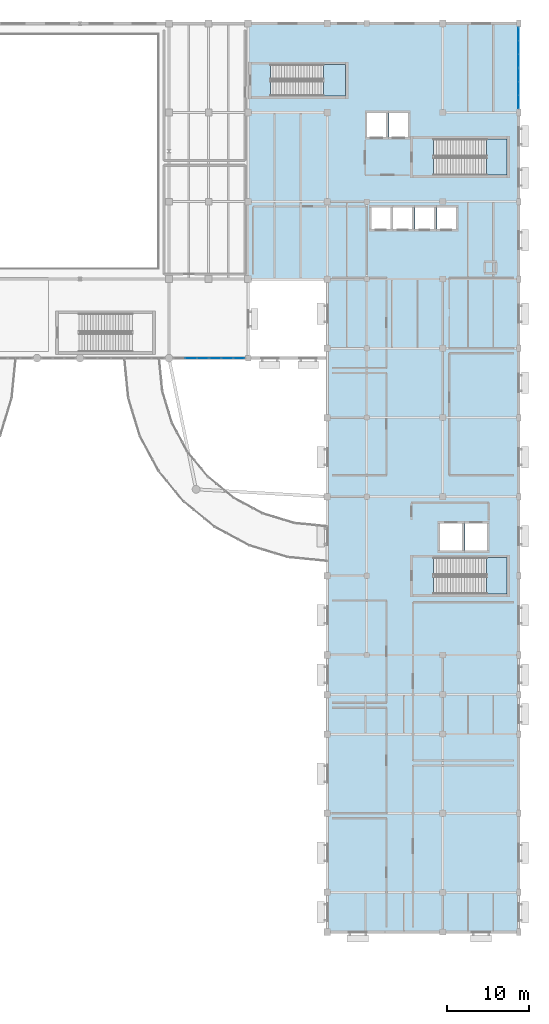
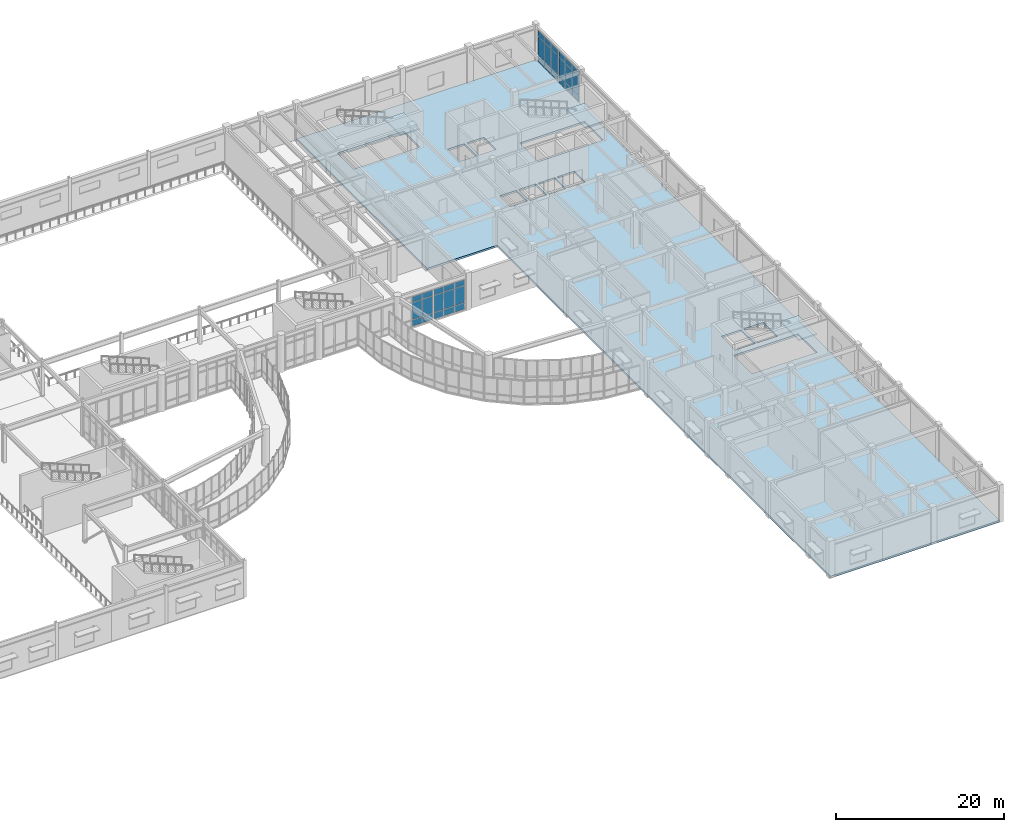
# One storey, part 46 of 72: 33 plates, 4 slabs, 7 elements without a shape of their own.
"""IFC4 building model written with IfcOpenShell, lengths in metres."""

from ifc_helpers import new_model, si_unit, direction, frame, origin, origin_2d, place, context, subcontext, project, spatial, polyline, rectangle, outline, extrude, material, layer, layer_set, type_object, element, aggregate, save


model = new_model("IFC4")

# Units and contexts
model_context = context("Model", 3, precision=1e-05, world=origin(), true_north=direction((0.0, 1.0)))
body_context = subcontext(model_context, "Body", "Model", "MODEL_VIEW")
ifc_project = project(units=[si_unit("LENGTHUNIT", "METRE"), si_unit("AREAUNIT", "SQUARE_METRE"), si_unit("VOLUMEUNIT", "CUBIC_METRE"), si_unit("PLANEANGLEUNIT", "RADIAN"), si_unit("MASSUNIT", "GRAM", prefix="KILO")], contexts=[model_context])

# Site, building, storey
site_placement = place(None, origin())
site = spatial("IfcSite", under=ifc_project, at=site_placement, CompositionType="ELEMENT")
building_placement = place(site_placement, origin())
building = spatial("IfcBuilding", under=site, at=building_placement, Name="Veldera Park Congress Hotel", CompositionType="ELEMENT")
storey_placement = place(building_placement, frame((0.0, 0.0, 5.39990234375)))
storey = spatial("IfcBuildingStorey", under=building, at=storey_placement, Name="L01", CompositionType="ELEMENT", Elevation=5.39990234375)

# Curtain wall, plates
ifc_material_1 = material(Name="Low-E Triple Insulating Glass Unit (SHGC 0.22)", Category="glass")
curtain_wall_type_1 = type_object("IfcCurtainWallType", Name="CW-POD", PredefinedType="NOTDEFINED", material=ifc_material_1)
curtain_wall_1_placement = place(storey_placement, origin())
curtain_wall_1 = element("IfcCurtainWall", 1, at=curtain_wall_1_placement, inside=storey, type_object=curtain_wall_type_1, Name="L01 Curtain Wall CW3-V2S-L01-037", PredefinedType="NOTDEFINED")
ifc_layer_1 = layer(ifc_material_1, 0.028076171875)
ifc_layer_set_1 = layer_set([ifc_layer_1], Name="Low-E Triple Insulating Glass Unit (SHGC 0.22)")
plate_type = type_object("IfcPlateType", Name="CWP-IGU28", PredefinedType="CURTAIN_PANEL", material=ifc_layer_set_1)
plate_1_placement = place(storey_placement, frame((44.28759765625, 17.39990234375, 0.0751953125), z_axis=(0.0, 0.0, 1.0), x_axis=(1.0, 0.0, 0.0)))
plate_1 = element("IfcPlate", 2, at=plate_1_placement, type_object=plate_type, Name="CW-POD panel 2.1", PredefinedType="CURTAIN_PANEL", context=body_context, shape_type="SweptSolid", body=[
    extrude(rectangle(XDim=1.373291015625, YDim=0.028076171875, at=origin_2d()), origin(), (0.0, 0.0, 1.0), 0.887451171875),
])
plate_2_placement = place(storey_placement, frame((44.28759765625, 17.39990234375, 1.03759765625), z_axis=(0.0, 0.0, 1.0), x_axis=(1.0, 0.0, 0.0)))
plate_2 = element("IfcPlate", 3, at=plate_2_placement, type_object=plate_type, Name="CW-POD panel 2.2", PredefinedType="CURTAIN_PANEL", context=body_context, shape_type="SweptSolid", body=[
    extrude(rectangle(XDim=1.373291015625, YDim=0.028076171875, at=origin_2d()), origin(), (0.0, 0.0, 1.0), 2.45703125),
])
plate_3_placement = place(storey_placement, frame((44.28759765625, 17.39990234375, 3.569580078125), z_axis=(0.0, 0.0, 1.0), x_axis=(1.0, 0.0, 0.0)))
plate_3 = element("IfcPlate", 4, at=plate_3_placement, type_object=plate_type, Name="CW-POD panel 2.3", PredefinedType="CURTAIN_PANEL", context=body_context, shape_type="SweptSolid", body=[
    extrude(rectangle(XDim=1.373291015625, YDim=0.028076171875, at=origin_2d()), origin(), (0.0, 0.0, 1.0), 0.78759765625),
])
plate_4_placement = place(storey_placement, frame((45.717041015625, 17.39990234375, 0.0751953125), z_axis=(0.0, 0.0, 1.0), x_axis=(1.0, 0.0, 0.0)))
plate_4 = element("IfcPlate", 5, at=plate_4_placement, type_object=plate_type, Name="CW-POD panel 3.1", PredefinedType="CURTAIN_PANEL", context=body_context, shape_type="SweptSolid", body=[
    extrude(rectangle(XDim=1.3359375, YDim=0.028076171875, at=origin_2d()), origin(), (0.0, 0.0, 1.0), 0.887451171875),
])
plate_5_placement = place(storey_placement, frame((45.717041015625, 17.39990234375, 1.03759765625), z_axis=(0.0, 0.0, 1.0), x_axis=(1.0, 0.0, 0.0)))
plate_5 = element("IfcPlate", 6, at=plate_5_placement, type_object=plate_type, Name="CW-POD panel 3.2", PredefinedType="CURTAIN_PANEL", context=body_context, shape_type="SweptSolid", body=[
    extrude(rectangle(XDim=1.3359375, YDim=0.028076171875, at=origin_2d()), origin(), (0.0, 0.0, 1.0), 2.45703125),
])
plate_6_placement = place(storey_placement, frame((45.717041015625, 17.39990234375, 3.569580078125), z_axis=(0.0, 0.0, 1.0), x_axis=(1.0, 0.0, 0.0)))
plate_6 = element("IfcPlate", 7, at=plate_6_placement, type_object=plate_type, Name="CW-POD panel 3.3", PredefinedType="CURTAIN_PANEL", context=body_context, shape_type="SweptSolid", body=[
    extrude(rectangle(XDim=1.3359375, YDim=0.028076171875, at=origin_2d()), origin(), (0.0, 0.0, 1.0), 0.78759765625),
])
aggregate(curtain_wall_1, [plate_1, plate_2, plate_3, plate_4, plate_5, plate_6])

curtain_wall_2_placement = place(storey_placement, origin())
curtain_wall_2 = element("IfcCurtainWall", 8, at=curtain_wall_2_placement, inside=storey, type_object=curtain_wall_type_1, Name="L01 Curtain Wall CW3-V2S-L01-038", PredefinedType="NOTDEFINED")
plate_7_placement = place(storey_placement, frame((47.23291015625, 17.39990234375, 0.0751953125), z_axis=(0.0, 0.0, 1.0), x_axis=(1.0, 0.0, 0.0)))
plate_7 = element("IfcPlate", 9, at=plate_7_placement, type_object=plate_type, Name="CW-POD panel 1.1", PredefinedType="CURTAIN_PANEL", context=body_context, shape_type="SweptSolid", body=[
    extrude(rectangle(XDim=1.3359375, YDim=0.028076171875, at=origin_2d()), origin(), (0.0, 0.0, 1.0), 0.887451171875),
])
plate_8_placement = place(storey_placement, frame((47.23291015625, 17.39990234375, 1.03759765625), z_axis=(0.0, 0.0, 1.0), x_axis=(1.0, 0.0, 0.0)))
plate_8 = element("IfcPlate", 10, at=plate_8_placement, type_object=plate_type, Name="CW-POD panel 1.2", PredefinedType="CURTAIN_PANEL", context=body_context, shape_type="SweptSolid", body=[
    extrude(rectangle(XDim=1.3359375, YDim=0.028076171875, at=origin_2d()), origin(), (0.0, 0.0, 1.0), 2.45703125),
])
plate_9_placement = place(storey_placement, frame((47.23291015625, 17.39990234375, 3.569580078125), z_axis=(0.0, 0.0, 1.0), x_axis=(1.0, 0.0, 0.0)))
plate_9 = element("IfcPlate", 11, at=plate_9_placement, type_object=plate_type, Name="CW-POD panel 1.3", PredefinedType="CURTAIN_PANEL", context=body_context, shape_type="SweptSolid", body=[
    extrude(rectangle(XDim=1.3359375, YDim=0.028076171875, at=origin_2d()), origin(), (0.0, 0.0, 1.0), 0.78759765625),
])
plate_10_placement = place(storey_placement, frame((48.66259765625, 17.39990234375, 0.0751953125), z_axis=(0.0, 0.0, 1.0), x_axis=(1.0, 0.0, 0.0)))
plate_10 = element("IfcPlate", 12, at=plate_10_placement, type_object=plate_type, Name="CW-POD panel 2.1", PredefinedType="CURTAIN_PANEL", context=body_context, shape_type="SweptSolid", body=[
    extrude(rectangle(XDim=1.373291015625, YDim=0.028076171875, at=origin_2d()), origin(), (0.0, 0.0, 1.0), 0.887451171875),
])
plate_11_placement = place(storey_placement, frame((48.66259765625, 17.39990234375, 1.03759765625), z_axis=(0.0, 0.0, 1.0), x_axis=(1.0, 0.0, 0.0)))
plate_11 = element("IfcPlate", 13, at=plate_11_placement, type_object=plate_type, Name="CW-POD panel 2.2", PredefinedType="CURTAIN_PANEL", context=body_context, shape_type="SweptSolid", body=[
    extrude(rectangle(XDim=1.373291015625, YDim=0.028076171875, at=origin_2d()), origin(), (0.0, 0.0, 1.0), 2.45703125),
])
plate_12_placement = place(storey_placement, frame((48.66259765625, 17.39990234375, 3.569580078125), z_axis=(0.0, 0.0, 1.0), x_axis=(1.0, 0.0, 0.0)))
plate_12 = element("IfcPlate", 14, at=plate_12_placement, type_object=plate_type, Name="CW-POD panel 2.3", PredefinedType="CURTAIN_PANEL", context=body_context, shape_type="SweptSolid", body=[
    extrude(rectangle(XDim=1.373291015625, YDim=0.028076171875, at=origin_2d()), origin(), (0.0, 0.0, 1.0), 0.78759765625),
])
plate_13_placement = place(storey_placement, frame((50.092041015625, 17.39990234375, 0.0751953125), z_axis=(0.0, 0.0, 1.0), x_axis=(1.0, 0.0, 0.0)))
plate_13 = element("IfcPlate", 15, at=plate_13_placement, type_object=plate_type, Name="CW-POD panel 3.1", PredefinedType="CURTAIN_PANEL", context=body_context, shape_type="SweptSolid", body=[
    extrude(rectangle(XDim=1.3359375, YDim=0.028076171875, at=origin_2d()), origin(), (0.0, 0.0, 1.0), 0.887451171875),
])
plate_14_placement = place(storey_placement, frame((50.092041015625, 17.39990234375, 1.03759765625), z_axis=(0.0, 0.0, 1.0), x_axis=(1.0, 0.0, 0.0)))
plate_14 = element("IfcPlate", 16, at=plate_14_placement, type_object=plate_type, Name="CW-POD panel 3.2", PredefinedType="CURTAIN_PANEL", context=body_context, shape_type="SweptSolid", body=[
    extrude(rectangle(XDim=1.3359375, YDim=0.028076171875, at=origin_2d()), origin(), (0.0, 0.0, 1.0), 2.45703125),
])
plate_15_placement = place(storey_placement, frame((50.092041015625, 17.39990234375, 3.569580078125), z_axis=(0.0, 0.0, 1.0), x_axis=(1.0, 0.0, 0.0)))
plate_15 = element("IfcPlate", 17, at=plate_15_placement, type_object=plate_type, Name="CW-POD panel 3.3", PredefinedType="CURTAIN_PANEL", context=body_context, shape_type="SweptSolid", body=[
    extrude(rectangle(XDim=1.3359375, YDim=0.028076171875, at=origin_2d()), origin(), (0.0, 0.0, 1.0), 0.78759765625),
])
aggregate(curtain_wall_2, [plate_7, plate_8, plate_9, plate_10, plate_11, plate_12, plate_13, plate_14, plate_15])

curtain_wall_type_2 = type_object("IfcCurtainWallType", Name="CW-HTL", PredefinedType="NOTDEFINED", material=ifc_material_1)
curtain_wall_3_placement = place(storey_placement, origin())
curtain_wall_3 = element("IfcCurtainWall", 18, at=curtain_wall_3_placement, inside=storey, type_object=curtain_wall_type_2, Name="L01 Curtain Wall CW3-HTLNE-L01-090", PredefinedType="NOTDEFINED")
plate_16_placement = place(storey_placement, frame((84.0, 48.479248046875, 0.06005859375), z_axis=(0.0, 0.0, 1.0), x_axis=(0.0, 1.0, 0.0)))
plate_16 = element("IfcPlate", 19, at=plate_16_placement, type_object=plate_type, Name="CW-HTL panel 1.1", PredefinedType="CURTAIN_PANEL", context=body_context, shape_type="SweptSolid", body=[
    extrude(rectangle(XDim=1.558349609375, YDim=0.028076171875, at=origin_2d()), origin(), (0.0, 0.0, 1.0), 0.909912109375),
])
plate_17_placement = place(storey_placement, frame((84.0, 48.479248046875, 1.0302734375), z_axis=(0.0, 0.0, 1.0), x_axis=(0.0, 1.0, 0.0)))
plate_17 = element("IfcPlate", 20, at=plate_17_placement, type_object=plate_type, Name="CW-HTL panel 1.2", PredefinedType="CURTAIN_PANEL", context=body_context, shape_type="SweptSolid", body=[
    extrude(rectangle(XDim=1.558349609375, YDim=0.028076171875, at=origin_2d()), origin(), (0.0, 0.0, 1.0), 2.701904296875),
])
plate_18_placement = place(storey_placement, frame((84.0, 48.479248046875, 3.7919921875), z_axis=(0.0, 0.0, 1.0), x_axis=(0.0, 1.0, 0.0)))
plate_18 = element("IfcPlate", 21, at=plate_18_placement, type_object=plate_type, Name="CW-HTL panel 1.3", PredefinedType="CURTAIN_PANEL", context=body_context, shape_type="SweptSolid", body=[
    extrude(rectangle(XDim=1.558349609375, YDim=0.028076171875, at=origin_2d()), origin(), (0.0, 0.0, 1.0), 0.81005859375),
])
plate_19_placement = place(storey_placement, frame((84.0, 50.112548828125, 0.06005859375), z_axis=(0.0, 0.0, 1.0), x_axis=(0.0, 1.0, 0.0)))
plate_19 = element("IfcPlate", 22, at=plate_19_placement, type_object=plate_type, Name="CW-HTL panel 2.1", PredefinedType="CURTAIN_PANEL", context=body_context, shape_type="SweptSolid", body=[
    extrude(rectangle(XDim=1.58837890625, YDim=0.028076171875, at=origin_2d()), origin(), (0.0, 0.0, 1.0), 0.909912109375),
])
plate_20_placement = place(storey_placement, frame((84.0, 50.112548828125, 1.0302734375), z_axis=(0.0, 0.0, 1.0), x_axis=(0.0, 1.0, 0.0)))
plate_20 = element("IfcPlate", 23, at=plate_20_placement, type_object=plate_type, Name="CW-HTL panel 2.2", PredefinedType="CURTAIN_PANEL", context=body_context, shape_type="SweptSolid", body=[
    extrude(rectangle(XDim=1.58837890625, YDim=0.028076171875, at=origin_2d()), origin(), (0.0, 0.0, 1.0), 2.701904296875),
])
plate_21_placement = place(storey_placement, frame((84.0, 50.112548828125, 3.7919921875), z_axis=(0.0, 0.0, 1.0), x_axis=(0.0, 1.0, 0.0)))
plate_21 = element("IfcPlate", 24, at=plate_21_placement, type_object=plate_type, Name="CW-HTL panel 2.3", PredefinedType="CURTAIN_PANEL", context=body_context, shape_type="SweptSolid", body=[
    extrude(rectangle(XDim=1.58837890625, YDim=0.028076171875, at=origin_2d()), origin(), (0.0, 0.0, 1.0), 0.81005859375),
])
plate_22_placement = place(storey_placement, frame((84.0, 51.745849609375, 0.06005859375), z_axis=(0.0, 0.0, 1.0), x_axis=(0.0, 1.0, 0.0)))
plate_22 = element("IfcPlate", 25, at=plate_22_placement, type_object=plate_type, Name="CW-HTL panel 3.1", PredefinedType="CURTAIN_PANEL", context=body_context, shape_type="SweptSolid", body=[
    extrude(rectangle(XDim=1.558349609375, YDim=0.028076171875, at=origin_2d()), origin(), (0.0, 0.0, 1.0), 0.909912109375),
])
plate_23_placement = place(storey_placement, frame((84.0, 51.745849609375, 1.0302734375), z_axis=(0.0, 0.0, 1.0), x_axis=(0.0, 1.0, 0.0)))
plate_23 = element("IfcPlate", 26, at=plate_23_placement, type_object=plate_type, Name="CW-HTL panel 3.2", PredefinedType="CURTAIN_PANEL", context=body_context, shape_type="SweptSolid", body=[
    extrude(rectangle(XDim=1.558349609375, YDim=0.028076171875, at=origin_2d()), origin(), (0.0, 0.0, 1.0), 2.701904296875),
])
plate_24_placement = place(storey_placement, frame((84.0, 51.745849609375, 3.7919921875), z_axis=(0.0, 0.0, 1.0), x_axis=(0.0, 1.0, 0.0)))
plate_24 = element("IfcPlate", 27, at=plate_24_placement, type_object=plate_type, Name="CW-HTL panel 3.3", PredefinedType="CURTAIN_PANEL", context=body_context, shape_type="SweptSolid", body=[
    extrude(rectangle(XDim=1.558349609375, YDim=0.028076171875, at=origin_2d()), origin(), (0.0, 0.0, 1.0), 0.81005859375),
])
aggregate(curtain_wall_3, [plate_16, plate_17, plate_18, plate_19, plate_20, plate_21, plate_22, plate_23, plate_24])

curtain_wall_4_placement = place(storey_placement, origin())
curtain_wall_4 = element("IfcCurtainWall", 28, at=curtain_wall_4_placement, inside=storey, type_object=curtain_wall_type_2, Name="L01 Curtain Wall CW3-HTLNE-L01-091", PredefinedType="NOTDEFINED")
plate_25_placement = place(storey_placement, frame((84.0, 53.4541015625, 0.06005859375), z_axis=(0.0, 0.0, 1.0), x_axis=(0.0, 1.0, 0.0)))
plate_25 = element("IfcPlate", 29, at=plate_25_placement, type_object=plate_type, Name="CW-HTL panel 1.1", PredefinedType="CURTAIN_PANEL", context=body_context, shape_type="SweptSolid", body=[
    extrude(rectangle(XDim=1.558349609375, YDim=0.028076171875, at=origin_2d()), origin(), (0.0, 0.0, 1.0), 0.909912109375),
])
plate_26_placement = place(storey_placement, frame((84.0, 53.4541015625, 1.0302734375), z_axis=(0.0, 0.0, 1.0), x_axis=(0.0, 1.0, 0.0)))
plate_26 = element("IfcPlate", 30, at=plate_26_placement, type_object=plate_type, Name="CW-HTL panel 1.2", PredefinedType="CURTAIN_PANEL", context=body_context, shape_type="SweptSolid", body=[
    extrude(rectangle(XDim=1.558349609375, YDim=0.028076171875, at=origin_2d()), origin(), (0.0, 0.0, 1.0), 2.701904296875),
])
plate_27_placement = place(storey_placement, frame((84.0, 53.4541015625, 3.7919921875), z_axis=(0.0, 0.0, 1.0), x_axis=(0.0, 1.0, 0.0)))
plate_27 = element("IfcPlate", 31, at=plate_27_placement, type_object=plate_type, Name="CW-HTL panel 1.3", PredefinedType="CURTAIN_PANEL", context=body_context, shape_type="SweptSolid", body=[
    extrude(rectangle(XDim=1.558349609375, YDim=0.028076171875, at=origin_2d()), origin(), (0.0, 0.0, 1.0), 0.81005859375),
])
plate_28_placement = place(storey_placement, frame((84.0, 55.08740234375, 0.06005859375), z_axis=(0.0, 0.0, 1.0), x_axis=(0.0, 1.0, 0.0)))
plate_28 = element("IfcPlate", 32, at=plate_28_placement, type_object=plate_type, Name="CW-HTL panel 2.1", PredefinedType="CURTAIN_PANEL", context=body_context, shape_type="SweptSolid", body=[
    extrude(rectangle(XDim=1.58837890625, YDim=0.028076171875, at=origin_2d()), origin(), (0.0, 0.0, 1.0), 0.909912109375),
])
plate_29_placement = place(storey_placement, frame((84.0, 55.08740234375, 1.0302734375), z_axis=(0.0, 0.0, 1.0), x_axis=(0.0, 1.0, 0.0)))
plate_29 = element("IfcPlate", 33, at=plate_29_placement, type_object=plate_type, Name="CW-HTL panel 2.2", PredefinedType="CURTAIN_PANEL", context=body_context, shape_type="SweptSolid", body=[
    extrude(rectangle(XDim=1.58837890625, YDim=0.028076171875, at=origin_2d()), origin(), (0.0, 0.0, 1.0), 2.701904296875),
])
plate_30_placement = place(storey_placement, frame((84.0, 55.08740234375, 3.7919921875), z_axis=(0.0, 0.0, 1.0), x_axis=(0.0, 1.0, 0.0)))
plate_30 = element("IfcPlate", 34, at=plate_30_placement, type_object=plate_type, Name="CW-HTL panel 2.3", PredefinedType="CURTAIN_PANEL", context=body_context, shape_type="SweptSolid", body=[
    extrude(rectangle(XDim=1.58837890625, YDim=0.028076171875, at=origin_2d()), origin(), (0.0, 0.0, 1.0), 0.81005859375),
])
plate_31_placement = place(storey_placement, frame((84.0, 56.720947265625, 0.06005859375), z_axis=(0.0, 0.0, 1.0), x_axis=(0.0, 1.0, 0.0)))
plate_31 = element("IfcPlate", 35, at=plate_31_placement, type_object=plate_type, Name="CW-HTL panel 3.1", PredefinedType="CURTAIN_PANEL", context=body_context, shape_type="SweptSolid", body=[
    extrude(rectangle(XDim=1.558349609375, YDim=0.028076171875, at=origin_2d()), origin(), (0.0, 0.0, 1.0), 0.909912109375),
])
plate_32_placement = place(storey_placement, frame((84.0, 56.720947265625, 1.0302734375), z_axis=(0.0, 0.0, 1.0), x_axis=(0.0, 1.0, 0.0)))
plate_32 = element("IfcPlate", 36, at=plate_32_placement, type_object=plate_type, Name="CW-HTL panel 3.2", PredefinedType="CURTAIN_PANEL", context=body_context, shape_type="SweptSolid", body=[
    extrude(rectangle(XDim=1.558349609375, YDim=0.028076171875, at=origin_2d()), origin(), (0.0, 0.0, 1.0), 2.701904296875),
])
plate_33_placement = place(storey_placement, frame((84.0, 56.720947265625, 3.7919921875), z_axis=(0.0, 0.0, 1.0), x_axis=(0.0, 1.0, 0.0)))
plate_33 = element("IfcPlate", 37, at=plate_33_placement, type_object=plate_type, Name="CW-HTL panel 3.3", PredefinedType="CURTAIN_PANEL", context=body_context, shape_type="SweptSolid", body=[
    extrude(rectangle(XDim=1.558349609375, YDim=0.028076171875, at=origin_2d()), origin(), (0.0, 0.0, 1.0), 0.81005859375),
])
aggregate(curtain_wall_4, [plate_25, plate_26, plate_27, plate_28, plate_29, plate_30, plate_31, plate_32, plate_33])

# Slab
ifc_material_2 = material(Name="Concrete f'c 40 MPa (5,800 psi)", Category="concrete")
ifc_layer_2 = layer(ifc_material_2, 0.280029296875)
ifc_layer_set_2 = layer_set([ifc_layer_2], Name="Concrete f'c 40 MPa (5,800 psi)")
slab_type_1 = type_object("IfcSlabType", Name="SLB-RC280", PredefinedType="FLOOR", material=ifc_layer_set_2)
slab_1_placement = place(storey_placement, frame((0.0, 0.0, -0.27978515625)))
element("IfcSlab", 38, at=slab_1_placement, inside=storey, type_object=slab_type_1, Name="L01 Floor Slab SLB-L01-V4", PredefinedType="FLOOR", context=body_context, shape_type="SweptSolid", body=[
    extrude(outline(polyline([(60.800048828125, -52.199951171875), (84.0, -52.199951171875), (84.0, 58.0), (51.199951171875, 58.0), (51.199951171875, 27.0), (60.800048828125, 27.0), (60.800048828125, -52.199951171875)]), holes=[polyline([(73.715087890625, 39.60009765625), (82.60009765625, 39.60009765625), (82.60009765625, 44.0), (73.715087890625, 44.0), (73.715087890625, 39.60009765625)]), polyline([(73.715087890625, -11.199951171875), (82.60009765625, -11.199951171875), (82.60009765625, -6.800048828125), (73.715087890625, -6.800048828125), (73.715087890625, -11.199951171875)]), polyline([(53.9150390625, 49.199951171875), (63.0, 49.199951171875), (63.0, 53.0), (53.9150390625, 53.0), (53.9150390625, 49.199951171875)]), polyline([(65.64990234375, 44.25), (67.949951171875, 44.25), (67.949951171875, 47.14990234375), (65.64990234375, 47.14990234375), (65.64990234375, 44.25)]), polyline([(68.300048828125, 44.25), (70.60009765625, 44.25), (70.60009765625, 47.14990234375), (68.300048828125, 47.14990234375), (68.300048828125, 44.25)]), polyline([(66.14990234375, 33.10009765625), (68.449951171875, 33.10009765625), (68.449951171875, 35.699951171875), (66.14990234375, 35.699951171875), (66.14990234375, 33.10009765625)]), polyline([(68.800048828125, 33.10009765625), (71.10009765625, 33.10009765625), (71.10009765625, 35.699951171875), (68.800048828125, 35.699951171875), (68.800048828125, 33.10009765625)]), polyline([(71.449951171875, 33.10009765625), (73.75, 33.10009765625), (73.75, 35.699951171875), (71.449951171875, 35.699951171875), (71.449951171875, 33.10009765625)]), polyline([(74.10009765625, 33.10009765625), (76.39990234375, 33.10009765625), (76.39990234375, 35.699951171875), (74.10009765625, 35.699951171875), (74.10009765625, 33.10009765625)]), polyline([(74.449951171875, -5.949951171875), (77.14990234375, -5.949951171875), (77.14990234375, -2.64990234375), (74.449951171875, -2.64990234375), (74.449951171875, -5.949951171875)]), polyline([(77.5, -5.949951171875), (80.199951171875, -5.949951171875), (80.199951171875, -2.64990234375), (77.5, -2.64990234375), (77.5, -5.949951171875)])]), origin(), (0.0, 0.0, 1.0), 0.27978515625),
])

# Stair, slab
stair_type_1 = type_object("IfcStairType", Name="ST1", PredefinedType="HALF_TURN_STAIR", material=ifc_material_2)
stair_1_placement = place(storey_placement, origin())
stair_1 = element("IfcStair", 39, at=stair_1_placement, inside=storey, type_object=stair_type_1, Name="L01 Protected Exit Stair ST1", PredefinedType="HALF_TURN_STAIR")
ifc_layer_3 = layer(ifc_material_2, 0.199951171875)
ifc_layer_set_3 = layer_set([ifc_layer_3], Name="Concrete f'c 40 MPa (5,800 psi)")
slab_type_2 = type_object("IfcSlabType", Name="SLD-ST1", PredefinedType="LANDING", material=ifc_layer_set_3)
slab_2_placement = place(storey_placement, frame((0.0, 0.0, 2.5)))
slab_2 = element("IfcSlab", 40, at=slab_2_placement, type_object=slab_type_2, Name="ST1 landing 1", PredefinedType="LANDING", context=body_context, shape_type="SweptSolid", body=[
    extrude(outline(polyline([(80.14501953125, 39.60009765625), (82.60009765625, 39.60009765625), (82.60009765625, 44.0), (80.14501953125, 44.0), (80.14501953125, 39.60009765625)])), origin(), (0.0, 0.0, 1.0), 0.2001953125),
])
aggregate(stair_1, [slab_2])

stair_type_2 = type_object("IfcStairType", Name="ST2", PredefinedType="HALF_TURN_STAIR", material=ifc_material_2)
stair_2_placement = place(storey_placement, origin())
stair_2 = element("IfcStair", 41, at=stair_2_placement, inside=storey, type_object=stair_type_2, Name="L01 Protected Exit Stair ST2", PredefinedType="HALF_TURN_STAIR")
ifc_layer_4 = layer(ifc_material_2, 0.199951171875)
ifc_layer_set_4 = layer_set([ifc_layer_4], Name="Concrete f'c 40 MPa (5,800 psi)")
slab_type_3 = type_object("IfcSlabType", Name="SLD-ST2", PredefinedType="LANDING", material=ifc_layer_set_4)
slab_3_placement = place(storey_placement, frame((0.0, 0.0, 2.5)))
slab_3 = element("IfcSlab", 42, at=slab_3_placement, type_object=slab_type_3, Name="ST2 landing 1", PredefinedType="LANDING", context=body_context, shape_type="SweptSolid", body=[
    extrude(outline(polyline([(80.14501953125, -11.199951171875), (82.60009765625, -11.199951171875), (82.60009765625, -6.800048828125), (80.14501953125, -6.800048828125), (80.14501953125, -11.199951171875)])), origin(), (0.0, 0.0, 1.0), 0.2001953125),
])
aggregate(stair_2, [slab_3])

stair_type_3 = type_object("IfcStairType", Name="ST3", PredefinedType="HALF_TURN_STAIR", material=ifc_material_2)
stair_3_placement = place(storey_placement, origin())
stair_3 = element("IfcStair", 43, at=stair_3_placement, inside=storey, type_object=stair_type_3, Name="L01 Protected Exit Stair ST3", PredefinedType="HALF_TURN_STAIR")
ifc_layer_5 = layer(ifc_material_2, 0.199951171875)
ifc_layer_set_5 = layer_set([ifc_layer_5], Name="Concrete f'c 40 MPa (5,800 psi)")
slab_type_4 = type_object("IfcSlabType", Name="SLD-ST3", PredefinedType="LANDING", material=ifc_layer_set_5)
slab_4_placement = place(storey_placement, frame((0.0, 0.0, 2.5)))
slab_4 = element("IfcSlab", 44, at=slab_4_placement, type_object=slab_type_4, Name="ST3 landing 1", PredefinedType="LANDING", context=body_context, shape_type="SweptSolid", body=[
    extrude(outline(polyline([(60.344970703125, 49.199951171875), (63.0, 49.199951171875), (63.0, 53.0), (60.344970703125, 53.0), (60.344970703125, 49.199951171875)])), origin(), (0.0, 0.0, 1.0), 0.2001953125),
])
aggregate(stair_3, [slab_4])

save(model, "model.ifc")
